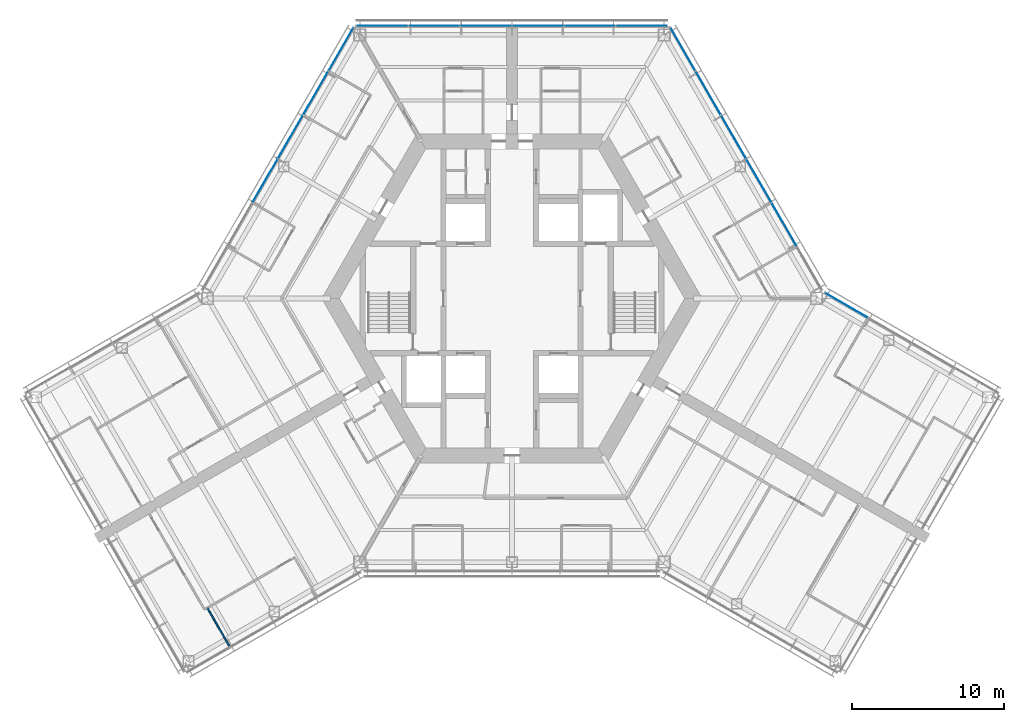
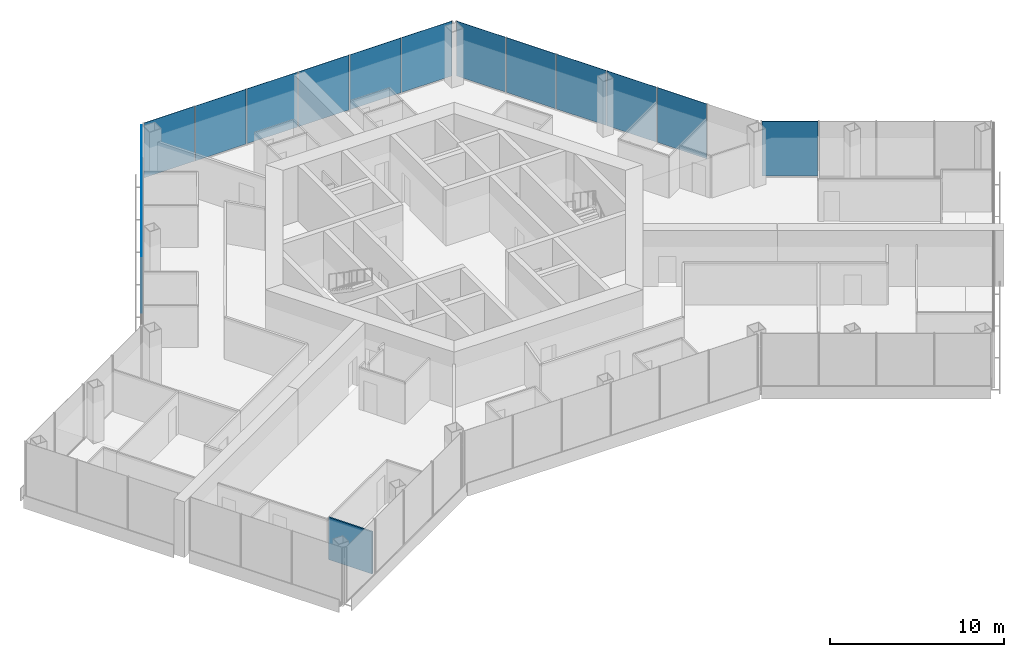
# One storey, part 11 of 18: 16 plates, 1 wall, 4 elements without a shape of their own.
"""IFC4 building model written with IfcOpenShell, lengths in metres."""

from ifc_helpers import new_model, si_unit, direction, frame, frame_2d, origin, origin_2d, place, context, subcontext, project, spatial, rectangle, extrude, material, layer, layer_set, type_object, element, aggregate, save


model = new_model("IFC4")

# Units and contexts
model_context = context("Model", 3, precision=1e-05, world=origin(), true_north=direction((0.0, 1.0)))
body_context = subcontext(model_context, "Body", "Model", "MODEL_VIEW")
ifc_project = project(units=[si_unit("LENGTHUNIT", "METRE"), si_unit("AREAUNIT", "SQUARE_METRE"), si_unit("VOLUMEUNIT", "CUBIC_METRE"), si_unit("PLANEANGLEUNIT", "RADIAN"), si_unit("MASSUNIT", "GRAM", prefix="KILO")], contexts=[model_context])

# Site, building, storey
site_placement = place(None, origin())
site = spatial("IfcSite", under=ifc_project, at=site_placement, CompositionType="ELEMENT")
building_placement = place(site_placement, origin())
building = spatial("IfcBuilding", under=site, at=building_placement, Name="Kasaneha Research Tower", CompositionType="ELEMENT")
storey_placement = place(building_placement, frame((0.0, 0.0, 187.699951171875)))
storey = spatial("IfcBuildingStorey", under=building, at=storey_placement, Name="L47", CompositionType="ELEMENT", Elevation=187.699951171875)

# Curtain wall, plate
ifc_material_1 = material(Name="Glass and aluminium", Category="aluminium")
curtain_wall_type = type_object("IfcCurtainWallType", Name="Mid-rise office curtain wall", PredefinedType="USERDEFINED", material=ifc_material_1)
curtain_wall_1_placement = place(storey_placement, origin())
curtain_wall_1 = element("IfcCurtainWall", 1, at=curtain_wall_1_placement, inside=storey, type_object=curtain_wall_type, Name="CW-O2 L47 run 05a", ObjectType="UNITISED CURTAIN WALL", PredefinedType="USERDEFINED")
ifc_material_2 = material(Name="Laminated double glazing", Category="glass")
ifc_layer_1 = layer(ifc_material_2, 0.02587890625)
ifc_layer_set_1 = layer_set([ifc_layer_1], Name="CW-O2 glazed panel")
plate_type = type_object("IfcPlateType", Name="CW-O2 glazed panel", PredefinedType="CURTAIN_PANEL", material=ifc_layer_set_1)
plate_1_placement = place(storey_placement, frame((21.971923828125, -0.44580078125, 0.06005859375), z_axis=(0.0, 0.0, 1.0), x_axis=(-0.866025411464, 0.499999986699, 0.0)))
plate_1 = element("IfcPlate", 2, at=plate_1_placement, type_object=plate_type, Name="CW-O2 panel 4", PredefinedType="CURTAIN_PANEL", context=body_context, shape_type="SweptSolid", body=[
    extrude(rectangle(XDim=3.2197265625, YDim=0.02587890625, at=origin_2d()), origin(), (0.0, 0.0, 1.0), 3.840087890625),
])
aggregate(curtain_wall_1, [plate_1])

# Curtain wall, plates
curtain_wall_2_placement = place(storey_placement, origin())
curtain_wall_2 = element("IfcCurtainWall", 3, at=curtain_wall_2_placement, inside=storey, type_object=curtain_wall_type, Name="CW-O2 L47 run 06a", ObjectType="UNITISED CURTAIN WALL", PredefinedType="USERDEFINED")
plate_2_placement = place(storey_placement, frame((17.89111328125, 4.852783203125, 0.06005859375), z_axis=(0.0, 0.0, 1.0), x_axis=(-0.499999979232, 0.866025415775, 0.0)))
plate_2 = element("IfcPlate", 4, at=plate_2_placement, type_object=plate_type, Name="CW-O2 panel 2", PredefinedType="CURTAIN_PANEL", context=body_context, shape_type="SweptSolid", body=[
    extrude(rectangle(XDim=3.27099609375, YDim=0.02587890625, at=origin_2d()), origin(), (0.0, 0.0, 1.0), 3.840087890625),
])
plate_3_placement = place(storey_placement, frame((16.2255859375, 7.737548828125, 0.06005859375), z_axis=(0.0, 0.0, 1.0), x_axis=(-0.499999979232, 0.866025415775, 0.0)))
plate_3 = element("IfcPlate", 5, at=plate_3_placement, type_object=plate_type, Name="CW-O2 panel 3", PredefinedType="CURTAIN_PANEL", context=body_context, shape_type="SweptSolid", body=[
    extrude(rectangle(XDim=3.27099609375, YDim=0.02587890625, at=origin_2d()), origin(), (0.0, 0.0, 1.0), 3.840087890625),
])
plate_4_placement = place(storey_placement, frame((14.56005859375, 10.622314453125, 0.06005859375), z_axis=(0.0, 0.0, 1.0), x_axis=(-0.499999979232, 0.866025415775, 0.0)))
plate_4 = element("IfcPlate", 6, at=plate_4_placement, type_object=plate_type, Name="CW-O2 panel 4", PredefinedType="CURTAIN_PANEL", context=body_context, shape_type="SweptSolid", body=[
    extrude(rectangle(XDim=3.27099609375, YDim=0.02587890625, at=origin_2d()), origin(), (0.0, 0.0, 1.0), 3.840087890625),
])
plate_5_placement = place(storey_placement, frame((12.89453125, 13.5068359375, 0.06005859375), z_axis=(0.0, 0.0, 1.0), x_axis=(-0.499999979232, 0.866025415775, 0.0)))
plate_5 = element("IfcPlate", 7, at=plate_5_placement, type_object=plate_type, Name="CW-O2 panel 5", PredefinedType="CURTAIN_PANEL", context=body_context, shape_type="SweptSolid", body=[
    extrude(rectangle(XDim=3.27099609375, YDim=0.02587890625, at=origin_2d()), origin(), (0.0, 0.0, 1.0), 3.840087890625),
])
plate_6_placement = place(storey_placement, frame((11.236572265625, 16.378662109375, 0.06005859375), z_axis=(0.0, 0.0, 1.0), x_axis=(-0.499999979232, 0.866025415775, 0.0)))
plate_6 = element("IfcPlate", 8, at=plate_6_placement, type_object=plate_type, Name="CW-O2 panel 6", PredefinedType="CURTAIN_PANEL", context=body_context, shape_type="SweptSolid", body=[
    extrude(rectangle(XDim=3.240966796875, YDim=0.02587890625, at=origin_2d()), origin(), (0.0, 0.0, 1.0), 3.840087890625),
])
aggregate(curtain_wall_2, [plate_2, plate_3, plate_4, plate_5, plate_6])

curtain_wall_3_placement = place(storey_placement, origin())
curtain_wall_3 = element("IfcCurtainWall", 9, at=curtain_wall_3_placement, inside=storey, type_object=curtain_wall_type, Name="CW-O2 L47 run 07a", ObjectType="UNITISED CURTAIN WALL", PredefinedType="USERDEFINED")
plate_7_placement = place(storey_placement, frame((8.523681640625, 17.92041015625, 0.06005859375), z_axis=(0.0, 0.0, 1.0), x_axis=(-1.0, 0.0, 0.0)))
plate_7 = element("IfcPlate", 10, at=plate_7_placement, type_object=plate_type, Name="CW-O2 panel 1", PredefinedType="CURTAIN_PANEL", context=body_context, shape_type="SweptSolid", body=[
    extrude(rectangle(XDim=3.325439453125, YDim=0.02587890625, at=origin_2d()), origin(), (0.0, 0.0, 1.0), 3.840087890625),
])
plate_8_placement = place(storey_placement, frame((5.123291015625, 17.92041015625, 0.06005859375), z_axis=(0.0, 0.0, 1.0), x_axis=(-1.0, 0.0, 0.0)))
plate_8 = element("IfcPlate", 11, at=plate_8_placement, type_object=plate_type, Name="CW-O2 panel 2", PredefinedType="CURTAIN_PANEL", context=body_context, shape_type="SweptSolid", body=[
    extrude(rectangle(XDim=3.35546875, YDim=0.02587890625, at=origin_2d()), origin(), (0.0, 0.0, 1.0), 3.840087890625),
])
plate_9_placement = place(storey_placement, frame((1.707763671875, 17.92041015625, 0.06005859375), z_axis=(0.0, 0.0, 1.0), x_axis=(-1.0, 0.0, 0.0)))
plate_9 = element("IfcPlate", 12, at=plate_9_placement, type_object=plate_type, Name="CW-O2 panel 3", PredefinedType="CURTAIN_PANEL", context=body_context, shape_type="SweptSolid", body=[
    extrude(rectangle(XDim=3.35546875, YDim=0.02587890625, at=origin_2d()), origin(), (0.0, 0.0, 1.0), 3.840087890625),
])
plate_10_placement = place(storey_placement, frame((-1.707763671875, 17.92041015625, 0.06005859375), z_axis=(0.0, 0.0, 1.0), x_axis=(-1.0, 0.0, 0.0)))
plate_10 = element("IfcPlate", 13, at=plate_10_placement, type_object=plate_type, Name="CW-O2 panel 4", PredefinedType="CURTAIN_PANEL", context=body_context, shape_type="SweptSolid", body=[
    extrude(rectangle(XDim=3.35546875, YDim=0.02587890625, at=origin_2d()), origin(), (0.0, 0.0, 1.0), 3.840087890625),
])
plate_11_placement = place(storey_placement, frame((-5.123291015625, 17.92041015625, 0.06005859375), z_axis=(0.0, 0.0, 1.0), x_axis=(-1.0, 0.0, 0.0)))
plate_11 = element("IfcPlate", 14, at=plate_11_placement, type_object=plate_type, Name="CW-O2 panel 5", PredefinedType="CURTAIN_PANEL", context=body_context, shape_type="SweptSolid", body=[
    extrude(rectangle(XDim=3.35546875, YDim=0.02587890625, at=origin_2d()), origin(), (0.0, 0.0, 1.0), 3.840087890625),
])
plate_12_placement = place(storey_placement, frame((-8.523681640625, 17.92041015625, 0.06005859375), z_axis=(0.0, 0.0, 1.0), x_axis=(-1.0, 0.0, 0.0)))
plate_12 = element("IfcPlate", 15, at=plate_12_placement, type_object=plate_type, Name="CW-O2 panel 6", PredefinedType="CURTAIN_PANEL", context=body_context, shape_type="SweptSolid", body=[
    extrude(rectangle(XDim=3.325439453125, YDim=0.02587890625, at=origin_2d()), origin(), (0.0, 0.0, 1.0), 3.840087890625),
])
aggregate(curtain_wall_3, [plate_7, plate_8, plate_9, plate_10, plate_11, plate_12])

curtain_wall_4_placement = place(storey_placement, origin())
curtain_wall_4 = element("IfcCurtainWall", 16, at=curtain_wall_4_placement, inside=storey, type_object=curtain_wall_type, Name="CW-O2 L47 run 08a", ObjectType="UNITISED CURTAIN WALL", PredefinedType="USERDEFINED")
plate_13_placement = place(storey_placement, frame((-11.236572265625, 16.378662109375, 0.06005859375), z_axis=(0.0, 0.0, 1.0), x_axis=(-0.499999979232, -0.866025415775, 0.0)))
plate_13 = element("IfcPlate", 17, at=plate_13_placement, type_object=plate_type, Name="CW-O2 panel 1", PredefinedType="CURTAIN_PANEL", context=body_context, shape_type="SweptSolid", body=[
    extrude(rectangle(XDim=3.240966796875, YDim=0.02587890625, at=origin_2d()), origin(), (0.0, 0.0, 1.0), 3.840087890625),
])
plate_14_placement = place(storey_placement, frame((-12.89453125, 13.5068359375, 0.06005859375), z_axis=(0.0, 0.0, 1.0), x_axis=(-0.499999979232, -0.866025415775, 0.0)))
plate_14 = element("IfcPlate", 18, at=plate_14_placement, type_object=plate_type, Name="CW-O2 panel 2", PredefinedType="CURTAIN_PANEL", context=body_context, shape_type="SweptSolid", body=[
    extrude(rectangle(XDim=3.27099609375, YDim=0.02587890625, at=origin_2d()), origin(), (0.0, 0.0, 1.0), 3.840087890625),
])
plate_15_placement = place(storey_placement, frame((-14.56005859375, 10.622314453125, 0.06005859375), z_axis=(0.0, 0.0, 1.0), x_axis=(-0.499999979232, -0.866025415775, 0.0)))
plate_15 = element("IfcPlate", 19, at=plate_15_placement, type_object=plate_type, Name="CW-O2 panel 3", PredefinedType="CURTAIN_PANEL", context=body_context, shape_type="SweptSolid", body=[
    extrude(rectangle(XDim=3.27099609375, YDim=0.02587890625, at=origin_2d()), origin(), (0.0, 0.0, 1.0), 3.840087890625),
])
plate_16_placement = place(storey_placement, frame((-16.2255859375, 7.737548828125, 0.06005859375), z_axis=(0.0, 0.0, 1.0), x_axis=(-0.499999979232, -0.866025415775, 0.0)))
plate_16 = element("IfcPlate", 20, at=plate_16_placement, type_object=plate_type, Name="CW-O2 panel 4", PredefinedType="CURTAIN_PANEL", context=body_context, shape_type="SweptSolid", body=[
    extrude(rectangle(XDim=3.27099609375, YDim=0.02587890625, at=origin_2d()), origin(), (0.0, 0.0, 1.0), 3.840087890625),
])
aggregate(curtain_wall_4, [plate_13, plate_14, plate_15, plate_16])

# Wall
ifc_material_3 = material(Name="Gypsum board on steel studs, one layer each side", Category="steel")
ifc_layer_2 = layer(ifc_material_3, 0.10009765625)
ifc_layer_set_2 = layer_set([ifc_layer_2], Name="Office partition 100")
wall_type = type_object("IfcWallType", Name="Office partition 100", PredefinedType="PARTITIONING", material=ifc_layer_set_2)
wall_placement = place(storey_placement, frame((-18.5849609375, -22.831298828125, 0.0), z_axis=(0.0, 0.0, 1.0), x_axis=(-0.498373965927, 0.866962161854, 0.0)))
element("IfcWall", 21, at=wall_placement, inside=storey, type_object=wall_type, Name="Office partition FBS06 L47", PredefinedType="PARTITIONING", context=body_context, shape_type="SweptSolid", body=[
    extrude(rectangle(XDim=2.8798828125, YDim=0.10009765625, at=frame_2d((1.43994140625, 0.0))), origin(), (0.0, 0.0, 1.0), 2.949951171875),
])

save(model, "model.ifc")
